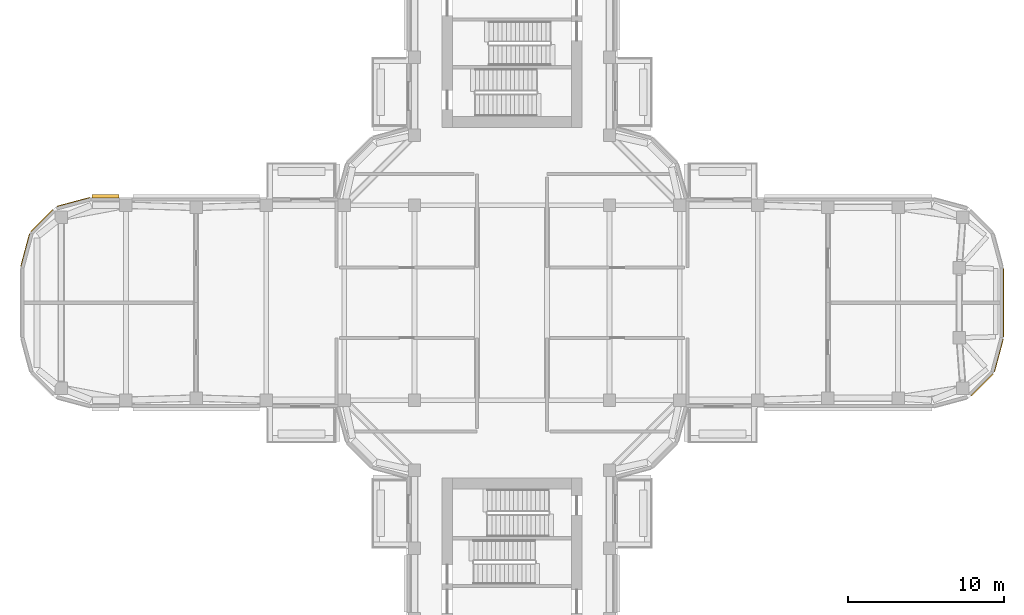
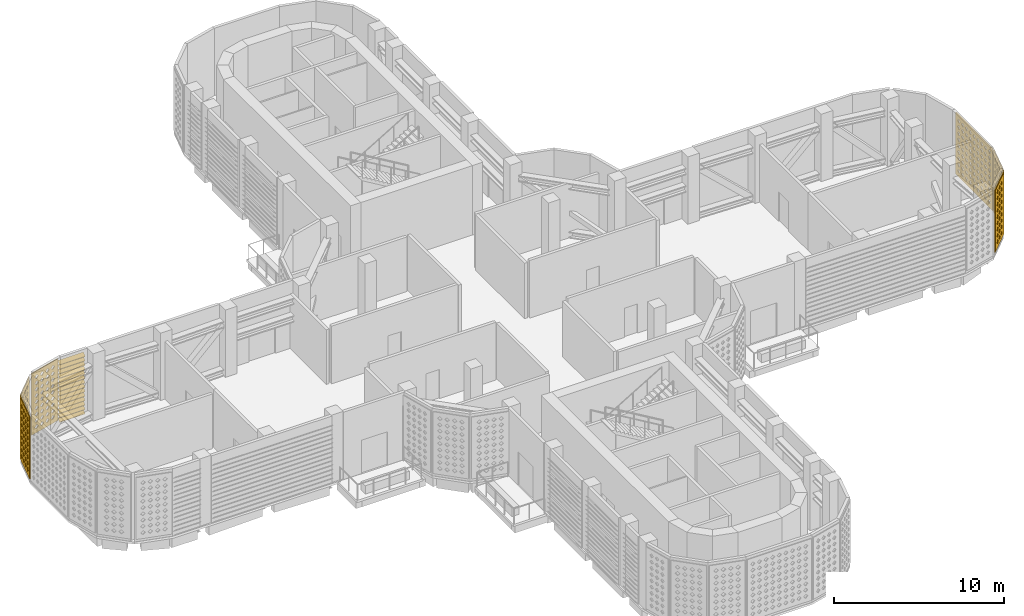
# One storey, part 15 of 21: 6 coverings, 1 shading device.
"""IFC4 building model written with IfcOpenShell, lengths in metres."""

from ifc_helpers import new_model, si_unit, direction, frame, origin, place, context, subcontext, project, spatial, polyline, outline, extrude, source, transform, mapped, material, layer, layer_set, type_object, element, save


model = new_model("IFC4")

# Units and contexts
model_context = context("Model", 3, precision=1e-05, world=origin(), true_north=direction((0.0, 1.0)))
body_context = subcontext(model_context, "Body", "Model", "MODEL_VIEW")
ifc_project = project(units=[si_unit("LENGTHUNIT", "METRE"), si_unit("AREAUNIT", "SQUARE_METRE"), si_unit("VOLUMEUNIT", "CUBIC_METRE"), si_unit("PLANEANGLEUNIT", "RADIAN"), si_unit("MASSUNIT", "GRAM", prefix="KILO")], contexts=[model_context])

# Site, building, storey
site_placement = place(None, origin())
site = spatial("IfcSite", under=ifc_project, at=site_placement, CompositionType="ELEMENT")
building_placement = place(site_placement, origin())
building = spatial("IfcBuilding", under=site, at=building_placement, Name="Zarbagh Exchange Tower", CompositionType="ELEMENT")
storey_placement = place(building_placement, frame((0.0, 0.0, 190.39990234375)))
storey = spatial("IfcBuildingStorey", under=building, at=storey_placement, Name="L46", CompositionType="ELEMENT", Elevation=190.39990234375)

# Coverings
ifc_material_1 = material(Name="Glass-fibre reinforced concrete GFRC C50/60", Category="concrete")
ifc_layer = layer(ifc_material_1, 0.06005859375)
ifc_layer_set = layer_set([ifc_layer], Name="SCREEN jali panel, GFRC")
covering_type = type_object("IfcCoveringType", Name="SCREEN jali panel, GFRC", PredefinedType="CLADDING", material=ifc_layer_set)
shared_shape_1 = source(origin(), body_context, "Body", "SweptSolid", [
    extrude(outline(polyline([(0.0, 0.0), (2.181396484375, 0.0), (2.181396484375, 4.449951171875), (0.0, 4.449951171875), (0.0, 0.0)]), holes=[polyline([(0.265625, 0.425048828125), (0.415771484375, 0.27490234375), (0.565673828125, 0.425048828125), (0.415771484375, 0.574951171875), (0.265625, 0.425048828125)]), polyline([(0.265625, 0.875), (0.415771484375, 0.72509765625), (0.565673828125, 0.875), (0.415771484375, 1.02490234375), (0.265625, 0.875)]), polyline([(0.265625, 1.324951171875), (0.415771484375, 1.175048828125), (0.565673828125, 1.324951171875), (0.415771484375, 1.47509765625), (0.265625, 1.324951171875)]), polyline([(0.265625, 1.77490234375), (0.415771484375, 1.625), (0.565673828125, 1.77490234375), (0.415771484375, 1.925048828125), (0.265625, 1.77490234375)]), polyline([(0.265625, 2.22509765625), (0.415771484375, 2.074951171875), (0.565673828125, 2.22509765625), (0.415771484375, 2.375), (0.265625, 2.22509765625)]), polyline([(0.265625, 2.675048828125), (0.415771484375, 2.52490234375), (0.565673828125, 2.675048828125), (0.415771484375, 2.824951171875), (0.265625, 2.675048828125)]), polyline([(0.265625, 3.125), (0.415771484375, 2.97509765625), (0.565673828125, 3.125), (0.415771484375, 3.27490234375), (0.265625, 3.125)]), polyline([(0.265625, 3.574951171875), (0.415771484375, 3.425048828125), (0.565673828125, 3.574951171875), (0.415771484375, 3.72509765625), (0.265625, 3.574951171875)]), polyline([(0.265625, 4.02490234375), (0.415771484375, 3.875), (0.565673828125, 4.02490234375), (0.415771484375, 4.175048828125), (0.265625, 4.02490234375)]), polyline([(0.7158203125, 0.425048828125), (0.86572265625, 0.27490234375), (1.015625, 0.425048828125), (0.86572265625, 0.574951171875), (0.7158203125, 0.425048828125)]), polyline([(0.7158203125, 0.875), (0.86572265625, 0.72509765625), (1.015625, 0.875), (0.86572265625, 1.02490234375), (0.7158203125, 0.875)]), polyline([(0.7158203125, 1.324951171875), (0.86572265625, 1.175048828125), (1.015625, 1.324951171875), (0.86572265625, 1.47509765625), (0.7158203125, 1.324951171875)]), polyline([(0.7158203125, 1.77490234375), (0.86572265625, 1.625), (1.015625, 1.77490234375), (0.86572265625, 1.925048828125), (0.7158203125, 1.77490234375)]), polyline([(0.7158203125, 2.22509765625), (0.86572265625, 2.074951171875), (1.015625, 2.22509765625), (0.86572265625, 2.375), (0.7158203125, 2.22509765625)]), polyline([(0.7158203125, 2.675048828125), (0.86572265625, 2.52490234375), (1.015625, 2.675048828125), (0.86572265625, 2.824951171875), (0.7158203125, 2.675048828125)]), polyline([(0.7158203125, 3.125), (0.86572265625, 2.97509765625), (1.015625, 3.125), (0.86572265625, 3.27490234375), (0.7158203125, 3.125)]), polyline([(0.7158203125, 3.574951171875), (0.86572265625, 3.425048828125), (1.015625, 3.574951171875), (0.86572265625, 3.72509765625), (0.7158203125, 3.574951171875)]), polyline([(0.7158203125, 4.02490234375), (0.86572265625, 3.875), (1.015625, 4.02490234375), (0.86572265625, 4.175048828125), (0.7158203125, 4.02490234375)]), polyline([(1.165771484375, 0.425048828125), (1.315673828125, 0.27490234375), (1.4658203125, 0.425048828125), (1.315673828125, 0.574951171875), (1.165771484375, 0.425048828125)]), polyline([(1.165771484375, 0.875), (1.315673828125, 0.72509765625), (1.4658203125, 0.875), (1.315673828125, 1.02490234375), (1.165771484375, 0.875)]), polyline([(1.165771484375, 1.324951171875), (1.315673828125, 1.175048828125), (1.4658203125, 1.324951171875), (1.315673828125, 1.47509765625), (1.165771484375, 1.324951171875)]), polyline([(1.165771484375, 1.77490234375), (1.315673828125, 1.625), (1.4658203125, 1.77490234375), (1.315673828125, 1.925048828125), (1.165771484375, 1.77490234375)]), polyline([(1.165771484375, 2.22509765625), (1.315673828125, 2.074951171875), (1.4658203125, 2.22509765625), (1.315673828125, 2.375), (1.165771484375, 2.22509765625)]), polyline([(1.165771484375, 2.675048828125), (1.315673828125, 2.52490234375), (1.4658203125, 2.675048828125), (1.315673828125, 2.824951171875), (1.165771484375, 2.675048828125)]), polyline([(1.165771484375, 3.125), (1.315673828125, 2.97509765625), (1.4658203125, 3.125), (1.315673828125, 3.27490234375), (1.165771484375, 3.125)]), polyline([(1.165771484375, 3.574951171875), (1.315673828125, 3.425048828125), (1.4658203125, 3.574951171875), (1.315673828125, 3.72509765625), (1.165771484375, 3.574951171875)]), polyline([(1.165771484375, 4.02490234375), (1.315673828125, 3.875), (1.4658203125, 4.02490234375), (1.315673828125, 4.175048828125), (1.165771484375, 4.02490234375)]), polyline([(1.61572265625, 0.425048828125), (1.765625, 0.27490234375), (1.915771484375, 0.425048828125), (1.765625, 0.574951171875), (1.61572265625, 0.425048828125)]), polyline([(1.61572265625, 0.875), (1.765625, 0.72509765625), (1.915771484375, 0.875), (1.765625, 1.02490234375), (1.61572265625, 0.875)]), polyline([(1.61572265625, 1.324951171875), (1.765625, 1.175048828125), (1.915771484375, 1.324951171875), (1.765625, 1.47509765625), (1.61572265625, 1.324951171875)]), polyline([(1.61572265625, 1.77490234375), (1.765625, 1.625), (1.915771484375, 1.77490234375), (1.765625, 1.925048828125), (1.61572265625, 1.77490234375)]), polyline([(1.61572265625, 2.22509765625), (1.765625, 2.074951171875), (1.915771484375, 2.22509765625), (1.765625, 2.375), (1.61572265625, 2.22509765625)]), polyline([(1.61572265625, 2.675048828125), (1.765625, 2.52490234375), (1.915771484375, 2.675048828125), (1.765625, 2.824951171875), (1.61572265625, 2.675048828125)]), polyline([(1.61572265625, 3.125), (1.765625, 2.97509765625), (1.915771484375, 3.125), (1.765625, 3.27490234375), (1.61572265625, 3.125)]), polyline([(1.61572265625, 3.574951171875), (1.765625, 3.425048828125), (1.915771484375, 3.574951171875), (1.765625, 3.72509765625), (1.61572265625, 3.574951171875)]), polyline([(1.61572265625, 4.02490234375), (1.765625, 3.875), (1.915771484375, 4.02490234375), (1.765625, 4.175048828125), (1.61572265625, 4.02490234375)])]), origin(), (0.0, 0.0, 1.0), 0.06005859375),
])
placement = place(storey_placement, origin())
element("IfcCovering", 1, at=placement, inside=storey, type_object=covering_type, Name="JS43 jali screen", PredefinedType="CLADDING", context=body_context, shape_type="MappedRepresentation", body=[
    mapped(shared_shape_1, transform((30.89892578125, -4.41552734375, 0.2001953125), x_axis=(0.258825057666, 0.965924215207, 0.0), y_axis=(0.0, 0.0, 1.0), z_axis=(0.965924215207, -0.258825057666, 0.0))),
])
element("IfcCovering", 2, at=placement, inside=storey, type_object=covering_type, Name="JS58 jali screen", PredefinedType="CLADDING", context=body_context, shape_type="MappedRepresentation", body=[
    mapped(shared_shape_1, transform((-27.058349609375, 6.713623046875, 0.2001953125), x_axis=(-0.965924215207, -0.258825057666, 0.0), y_axis=(0.0, 0.0, 1.0), z_axis=(-0.258825057666, 0.965924215207, 0.0))),
])
element("IfcCovering", 3, at=placement, inside=storey, type_object=covering_type, Name="JS60 jali screen", PredefinedType="CLADDING", context=body_context, shape_type="MappedRepresentation", body=[
    mapped(shared_shape_1, transform((-30.89892578125, 4.41552734375, 0.2001953125), x_axis=(-0.258825057666, -0.965924215207, 0.0), y_axis=(0.0, 0.0, 1.0), z_axis=(-0.965924215207, 0.258825057666, 0.0))),
])

# Shading device
ifc_material_2 = material(Name="Anodised aluminium", Category="aluminium")
shading_device_type = type_object("IfcShadingDeviceType", Name="LOUVRE plant louvre, fixed blades", PredefinedType="USERDEFINED", material=ifc_material_2)
shared_shape_2 = source(origin(), body_context, "Body", "SweptSolid", [
    extrude(outline(polyline([(0.0, 0.199951171875), (0.199951171875, 0.0), (0.199951171875, -0.02001953125), (0.0, 0.179931640625), (0.0, 0.199951171875)])), origin(), (0.0, 0.0, 1.0), 1.744140625),
])
element("IfcShadingDevice", 4, at=placement, inside=storey, type_object=shading_device_type, Name="LV14 plant louvre", ObjectType="LOUVRE", PredefinedType="USERDEFINED", context=body_context, shape_type="MappedRepresentation", body=[
    mapped(shared_shape_2, transform((-25.18994140625, 6.72998046875, 0.2001953125), x_axis=(0.0, 1.0, 0.0), y_axis=(0.0, 0.0, -1.0), z_axis=(-1.0, 0.0, 0.0))),
    mapped(shared_shape_2, transform((-25.18994140625, 6.72998046875, 0.51806640625), x_axis=(0.0, 1.0, 0.0), y_axis=(0.0, 0.0, -1.0), z_axis=(-1.0, 0.0, 0.0))),
    mapped(shared_shape_2, transform((-25.18994140625, 6.72998046875, 0.835693359375), x_axis=(0.0, 1.0, 0.0), y_axis=(0.0, 0.0, -1.0), z_axis=(-1.0, 0.0, 0.0))),
    mapped(shared_shape_2, transform((-25.18994140625, 6.72998046875, 1.153564453125), x_axis=(0.0, 1.0, 0.0), y_axis=(0.0, 0.0, -1.0), z_axis=(-1.0, 0.0, 0.0))),
    mapped(shared_shape_2, transform((-25.18994140625, 6.72998046875, 1.471435546875), x_axis=(0.0, 1.0, 0.0), y_axis=(0.0, 0.0, -1.0), z_axis=(-1.0, 0.0, 0.0))),
    mapped(shared_shape_2, transform((-25.18994140625, 6.72998046875, 1.789306640625), x_axis=(0.0, 1.0, 0.0), y_axis=(0.0, 0.0, -1.0), z_axis=(-1.0, 0.0, 0.0))),
    mapped(shared_shape_2, transform((-25.18994140625, 6.72998046875, 2.107177734375), x_axis=(0.0, 1.0, 0.0), y_axis=(0.0, 0.0, -1.0), z_axis=(-1.0, 0.0, 0.0))),
    mapped(shared_shape_2, transform((-25.18994140625, 6.72998046875, 2.425048828125), x_axis=(0.0, 1.0, 0.0), y_axis=(0.0, 0.0, -1.0), z_axis=(-1.0, 0.0, 0.0))),
    mapped(shared_shape_2, transform((-25.18994140625, 6.72998046875, 2.742919921875), x_axis=(0.0, 1.0, 0.0), y_axis=(0.0, 0.0, -1.0), z_axis=(-1.0, 0.0, 0.0))),
    mapped(shared_shape_2, transform((-25.18994140625, 6.72998046875, 3.060791015625), x_axis=(0.0, 1.0, 0.0), y_axis=(0.0, 0.0, -1.0), z_axis=(-1.0, 0.0, 0.0))),
    mapped(shared_shape_2, transform((-25.18994140625, 6.72998046875, 3.378662109375), x_axis=(0.0, 1.0, 0.0), y_axis=(0.0, 0.0, -1.0), z_axis=(-1.0, 0.0, 0.0))),
    mapped(shared_shape_2, transform((-25.18994140625, 6.72998046875, 3.696533203125), x_axis=(0.0, 1.0, 0.0), y_axis=(0.0, 0.0, -1.0), z_axis=(-1.0, 0.0, 0.0))),
    mapped(shared_shape_2, transform((-25.18994140625, 6.72998046875, 4.014404296875), x_axis=(0.0, 1.0, 0.0), y_axis=(0.0, 0.0, -1.0), z_axis=(-1.0, 0.0, 0.0))),
    mapped(shared_shape_2, transform((-25.18994140625, 6.72998046875, 4.332275390625), x_axis=(0.0, 1.0, 0.0), y_axis=(0.0, 0.0, -1.0), z_axis=(-1.0, 0.0, 0.0))),
])

# Coverings
shared_shape_3 = source(origin(), body_context, "Body", "SweptSolid", [
    extrude(outline(polyline([(0.0, 0.0), (4.368408203125, 0.0), (4.368408203125, 4.449951171875), (0.0, 4.449951171875), (0.0, 0.0)]), holes=[polyline([(0.234130859375, 0.425048828125), (0.38427734375, 0.27490234375), (0.5341796875, 0.425048828125), (0.38427734375, 0.574951171875), (0.234130859375, 0.425048828125)]), polyline([(0.234130859375, 0.875), (0.38427734375, 0.72509765625), (0.5341796875, 0.875), (0.38427734375, 1.02490234375), (0.234130859375, 0.875)]), polyline([(0.234130859375, 1.324951171875), (0.38427734375, 1.175048828125), (0.5341796875, 1.324951171875), (0.38427734375, 1.47509765625), (0.234130859375, 1.324951171875)]), polyline([(0.234130859375, 1.77490234375), (0.38427734375, 1.625), (0.5341796875, 1.77490234375), (0.38427734375, 1.925048828125), (0.234130859375, 1.77490234375)]), polyline([(0.234130859375, 2.22509765625), (0.38427734375, 2.074951171875), (0.5341796875, 2.22509765625), (0.38427734375, 2.375), (0.234130859375, 2.22509765625)]), polyline([(0.234130859375, 2.675048828125), (0.38427734375, 2.52490234375), (0.5341796875, 2.675048828125), (0.38427734375, 2.824951171875), (0.234130859375, 2.675048828125)]), polyline([(0.234130859375, 3.125), (0.38427734375, 2.97509765625), (0.5341796875, 3.125), (0.38427734375, 3.27490234375), (0.234130859375, 3.125)]), polyline([(0.234130859375, 3.574951171875), (0.38427734375, 3.425048828125), (0.5341796875, 3.574951171875), (0.38427734375, 3.72509765625), (0.234130859375, 3.574951171875)]), polyline([(0.234130859375, 4.02490234375), (0.38427734375, 3.875), (0.5341796875, 4.02490234375), (0.38427734375, 4.175048828125), (0.234130859375, 4.02490234375)]), polyline([(0.68408203125, 0.425048828125), (0.834228515625, 0.27490234375), (0.984130859375, 0.425048828125), (0.834228515625, 0.574951171875), (0.68408203125, 0.425048828125)]), polyline([(0.68408203125, 0.875), (0.834228515625, 0.72509765625), (0.984130859375, 0.875), (0.834228515625, 1.02490234375), (0.68408203125, 0.875)]), polyline([(0.68408203125, 1.324951171875), (0.834228515625, 1.175048828125), (0.984130859375, 1.324951171875), (0.834228515625, 1.47509765625), (0.68408203125, 1.324951171875)]), polyline([(0.68408203125, 1.77490234375), (0.834228515625, 1.625), (0.984130859375, 1.77490234375), (0.834228515625, 1.925048828125), (0.68408203125, 1.77490234375)]), polyline([(0.68408203125, 2.22509765625), (0.834228515625, 2.074951171875), (0.984130859375, 2.22509765625), (0.834228515625, 2.375), (0.68408203125, 2.22509765625)]), polyline([(0.68408203125, 2.675048828125), (0.834228515625, 2.52490234375), (0.984130859375, 2.675048828125), (0.834228515625, 2.824951171875), (0.68408203125, 2.675048828125)]), polyline([(0.68408203125, 3.125), (0.834228515625, 2.97509765625), (0.984130859375, 3.125), (0.834228515625, 3.27490234375), (0.68408203125, 3.125)]), polyline([(0.68408203125, 3.574951171875), (0.834228515625, 3.425048828125), (0.984130859375, 3.574951171875), (0.834228515625, 3.72509765625), (0.68408203125, 3.574951171875)]), polyline([(0.68408203125, 4.02490234375), (0.834228515625, 3.875), (0.984130859375, 4.02490234375), (0.834228515625, 4.175048828125), (0.68408203125, 4.02490234375)]), polyline([(1.13427734375, 0.425048828125), (1.2841796875, 0.27490234375), (1.43408203125, 0.425048828125), (1.2841796875, 0.574951171875), (1.13427734375, 0.425048828125)]), polyline([(1.13427734375, 0.875), (1.2841796875, 0.72509765625), (1.43408203125, 0.875), (1.2841796875, 1.02490234375), (1.13427734375, 0.875)]), polyline([(1.13427734375, 1.324951171875), (1.2841796875, 1.175048828125), (1.43408203125, 1.324951171875), (1.2841796875, 1.47509765625), (1.13427734375, 1.324951171875)]), polyline([(1.13427734375, 1.77490234375), (1.2841796875, 1.625), (1.43408203125, 1.77490234375), (1.2841796875, 1.925048828125), (1.13427734375, 1.77490234375)]), polyline([(1.13427734375, 2.22509765625), (1.2841796875, 2.074951171875), (1.43408203125, 2.22509765625), (1.2841796875, 2.375), (1.13427734375, 2.22509765625)]), polyline([(1.13427734375, 2.675048828125), (1.2841796875, 2.52490234375), (1.43408203125, 2.675048828125), (1.2841796875, 2.824951171875), (1.13427734375, 2.675048828125)]), polyline([(1.13427734375, 3.125), (1.2841796875, 2.97509765625), (1.43408203125, 3.125), (1.2841796875, 3.27490234375), (1.13427734375, 3.125)]), polyline([(1.13427734375, 3.574951171875), (1.2841796875, 3.425048828125), (1.43408203125, 3.574951171875), (1.2841796875, 3.72509765625), (1.13427734375, 3.574951171875)]), polyline([(1.13427734375, 4.02490234375), (1.2841796875, 3.875), (1.43408203125, 4.02490234375), (1.2841796875, 4.175048828125), (1.13427734375, 4.02490234375)]), polyline([(1.584228515625, 0.425048828125), (1.734130859375, 0.27490234375), (1.88427734375, 0.425048828125), (1.734130859375, 0.574951171875), (1.584228515625, 0.425048828125)]), polyline([(1.584228515625, 0.875), (1.734130859375, 0.72509765625), (1.88427734375, 0.875), (1.734130859375, 1.02490234375), (1.584228515625, 0.875)]), polyline([(1.584228515625, 1.324951171875), (1.734130859375, 1.175048828125), (1.88427734375, 1.324951171875), (1.734130859375, 1.47509765625), (1.584228515625, 1.324951171875)]), polyline([(1.584228515625, 1.77490234375), (1.734130859375, 1.625), (1.88427734375, 1.77490234375), (1.734130859375, 1.925048828125), (1.584228515625, 1.77490234375)]), polyline([(1.584228515625, 2.22509765625), (1.734130859375, 2.074951171875), (1.88427734375, 2.22509765625), (1.734130859375, 2.375), (1.584228515625, 2.22509765625)]), polyline([(1.584228515625, 2.675048828125), (1.734130859375, 2.52490234375), (1.88427734375, 2.675048828125), (1.734130859375, 2.824951171875), (1.584228515625, 2.675048828125)]), polyline([(1.584228515625, 3.125), (1.734130859375, 2.97509765625), (1.88427734375, 3.125), (1.734130859375, 3.27490234375), (1.584228515625, 3.125)]), polyline([(1.584228515625, 3.574951171875), (1.734130859375, 3.425048828125), (1.88427734375, 3.574951171875), (1.734130859375, 3.72509765625), (1.584228515625, 3.574951171875)]), polyline([(1.584228515625, 4.02490234375), (1.734130859375, 3.875), (1.88427734375, 4.02490234375), (1.734130859375, 4.175048828125), (1.584228515625, 4.02490234375)]), polyline([(2.0341796875, 0.425048828125), (2.18408203125, 0.27490234375), (2.334228515625, 0.425048828125), (2.18408203125, 0.574951171875), (2.0341796875, 0.425048828125)]), polyline([(2.0341796875, 0.875), (2.18408203125, 0.72509765625), (2.334228515625, 0.875), (2.18408203125, 1.02490234375), (2.0341796875, 0.875)]), polyline([(2.0341796875, 1.324951171875), (2.18408203125, 1.175048828125), (2.334228515625, 1.324951171875), (2.18408203125, 1.47509765625), (2.0341796875, 1.324951171875)]), polyline([(2.0341796875, 1.77490234375), (2.18408203125, 1.625), (2.334228515625, 1.77490234375), (2.18408203125, 1.925048828125), (2.0341796875, 1.77490234375)]), polyline([(2.0341796875, 2.22509765625), (2.18408203125, 2.074951171875), (2.334228515625, 2.22509765625), (2.18408203125, 2.375), (2.0341796875, 2.22509765625)]), polyline([(2.0341796875, 2.675048828125), (2.18408203125, 2.52490234375), (2.334228515625, 2.675048828125), (2.18408203125, 2.824951171875), (2.0341796875, 2.675048828125)]), polyline([(2.0341796875, 3.125), (2.18408203125, 2.97509765625), (2.334228515625, 3.125), (2.18408203125, 3.27490234375), (2.0341796875, 3.125)]), polyline([(2.0341796875, 3.574951171875), (2.18408203125, 3.425048828125), (2.334228515625, 3.574951171875), (2.18408203125, 3.72509765625), (2.0341796875, 3.574951171875)]), polyline([(2.0341796875, 4.02490234375), (2.18408203125, 3.875), (2.334228515625, 4.02490234375), (2.18408203125, 4.175048828125), (2.0341796875, 4.02490234375)]), polyline([(2.484130859375, 0.425048828125), (2.63427734375, 0.27490234375), (2.7841796875, 0.425048828125), (2.63427734375, 0.574951171875), (2.484130859375, 0.425048828125)]), polyline([(2.484130859375, 0.875), (2.63427734375, 0.72509765625), (2.7841796875, 0.875), (2.63427734375, 1.02490234375), (2.484130859375, 0.875)]), polyline([(2.484130859375, 1.324951171875), (2.63427734375, 1.175048828125), (2.7841796875, 1.324951171875), (2.63427734375, 1.47509765625), (2.484130859375, 1.324951171875)]), polyline([(2.484130859375, 1.77490234375), (2.63427734375, 1.625), (2.7841796875, 1.77490234375), (2.63427734375, 1.925048828125), (2.484130859375, 1.77490234375)]), polyline([(2.484130859375, 2.22509765625), (2.63427734375, 2.074951171875), (2.7841796875, 2.22509765625), (2.63427734375, 2.375), (2.484130859375, 2.22509765625)]), polyline([(2.484130859375, 2.675048828125), (2.63427734375, 2.52490234375), (2.7841796875, 2.675048828125), (2.63427734375, 2.824951171875), (2.484130859375, 2.675048828125)]), polyline([(2.484130859375, 3.125), (2.63427734375, 2.97509765625), (2.7841796875, 3.125), (2.63427734375, 3.27490234375), (2.484130859375, 3.125)]), polyline([(2.484130859375, 3.574951171875), (2.63427734375, 3.425048828125), (2.7841796875, 3.574951171875), (2.63427734375, 3.72509765625), (2.484130859375, 3.574951171875)]), polyline([(2.484130859375, 4.02490234375), (2.63427734375, 3.875), (2.7841796875, 4.02490234375), (2.63427734375, 4.175048828125), (2.484130859375, 4.02490234375)]), polyline([(2.93408203125, 0.425048828125), (3.084228515625, 0.27490234375), (3.234130859375, 0.425048828125), (3.084228515625, 0.574951171875), (2.93408203125, 0.425048828125)]), polyline([(2.93408203125, 0.875), (3.084228515625, 0.72509765625), (3.234130859375, 0.875), (3.084228515625, 1.02490234375), (2.93408203125, 0.875)]), polyline([(2.93408203125, 1.324951171875), (3.084228515625, 1.175048828125), (3.234130859375, 1.324951171875), (3.084228515625, 1.47509765625), (2.93408203125, 1.324951171875)]), polyline([(2.93408203125, 1.77490234375), (3.084228515625, 1.625), (3.234130859375, 1.77490234375), (3.084228515625, 1.925048828125), (2.93408203125, 1.77490234375)]), polyline([(2.93408203125, 2.22509765625), (3.084228515625, 2.074951171875), (3.234130859375, 2.22509765625), (3.084228515625, 2.375), (2.93408203125, 2.22509765625)]), polyline([(2.93408203125, 2.675048828125), (3.084228515625, 2.52490234375), (3.234130859375, 2.675048828125), (3.084228515625, 2.824951171875), (2.93408203125, 2.675048828125)]), polyline([(2.93408203125, 3.125), (3.084228515625, 2.97509765625), (3.234130859375, 3.125), (3.084228515625, 3.27490234375), (2.93408203125, 3.125)]), polyline([(2.93408203125, 3.574951171875), (3.084228515625, 3.425048828125), (3.234130859375, 3.574951171875), (3.084228515625, 3.72509765625), (2.93408203125, 3.574951171875)]), polyline([(2.93408203125, 4.02490234375), (3.084228515625, 3.875), (3.234130859375, 4.02490234375), (3.084228515625, 4.175048828125), (2.93408203125, 4.02490234375)]), polyline([(3.38427734375, 0.425048828125), (3.5341796875, 0.27490234375), (3.68408203125, 0.425048828125), (3.5341796875, 0.574951171875), (3.38427734375, 0.425048828125)]), polyline([(3.38427734375, 0.875), (3.5341796875, 0.72509765625), (3.68408203125, 0.875), (3.5341796875, 1.02490234375), (3.38427734375, 0.875)]), polyline([(3.38427734375, 1.324951171875), (3.5341796875, 1.175048828125), (3.68408203125, 1.324951171875), (3.5341796875, 1.47509765625), (3.38427734375, 1.324951171875)]), polyline([(3.38427734375, 1.77490234375), (3.5341796875, 1.625), (3.68408203125, 1.77490234375), (3.5341796875, 1.925048828125), (3.38427734375, 1.77490234375)]), polyline([(3.38427734375, 2.22509765625), (3.5341796875, 2.074951171875), (3.68408203125, 2.22509765625), (3.5341796875, 2.375), (3.38427734375, 2.22509765625)]), polyline([(3.38427734375, 2.675048828125), (3.5341796875, 2.52490234375), (3.68408203125, 2.675048828125), (3.5341796875, 2.824951171875), (3.38427734375, 2.675048828125)]), polyline([(3.38427734375, 3.125), (3.5341796875, 2.97509765625), (3.68408203125, 3.125), (3.5341796875, 3.27490234375), (3.38427734375, 3.125)]), polyline([(3.38427734375, 3.574951171875), (3.5341796875, 3.425048828125), (3.68408203125, 3.574951171875), (3.5341796875, 3.72509765625), (3.38427734375, 3.574951171875)]), polyline([(3.38427734375, 4.02490234375), (3.5341796875, 3.875), (3.68408203125, 4.02490234375), (3.5341796875, 4.175048828125), (3.38427734375, 4.02490234375)]), polyline([(3.834228515625, 0.425048828125), (3.984130859375, 0.27490234375), (4.13427734375, 0.425048828125), (3.984130859375, 0.574951171875), (3.834228515625, 0.425048828125)]), polyline([(3.834228515625, 0.875), (3.984130859375, 0.72509765625), (4.13427734375, 0.875), (3.984130859375, 1.02490234375), (3.834228515625, 0.875)]), polyline([(3.834228515625, 1.324951171875), (3.984130859375, 1.175048828125), (4.13427734375, 1.324951171875), (3.984130859375, 1.47509765625), (3.834228515625, 1.324951171875)]), polyline([(3.834228515625, 1.77490234375), (3.984130859375, 1.625), (4.13427734375, 1.77490234375), (3.984130859375, 1.925048828125), (3.834228515625, 1.77490234375)]), polyline([(3.834228515625, 2.22509765625), (3.984130859375, 2.074951171875), (4.13427734375, 2.22509765625), (3.984130859375, 2.375), (3.834228515625, 2.22509765625)]), polyline([(3.834228515625, 2.675048828125), (3.984130859375, 2.52490234375), (4.13427734375, 2.675048828125), (3.984130859375, 2.824951171875), (3.834228515625, 2.675048828125)]), polyline([(3.834228515625, 3.125), (3.984130859375, 2.97509765625), (4.13427734375, 3.125), (3.984130859375, 3.27490234375), (3.834228515625, 3.125)]), polyline([(3.834228515625, 3.574951171875), (3.984130859375, 3.425048828125), (4.13427734375, 3.574951171875), (3.984130859375, 3.72509765625), (3.834228515625, 3.574951171875)]), polyline([(3.834228515625, 4.02490234375), (3.984130859375, 3.875), (4.13427734375, 4.02490234375), (3.984130859375, 4.175048828125), (3.834228515625, 4.02490234375)])]), origin(), (0.0, 0.0, 1.0), 0.06005859375),
])
element("IfcCovering", 5, at=placement, inside=storey, type_object=covering_type, Name="JS44 jali screen", PredefinedType="CLADDING", context=body_context, shape_type="MappedRepresentation", body=[
    mapped(shared_shape_3, transform((31.47998046875, -2.18408203125, 0.2001953125), x_axis=(0.0, 1.0, 0.0), y_axis=(0.0, 0.0, 1.0), z_axis=(1.0, 0.0, 0.0))),
])
shared_shape_4 = source(origin(), body_context, "Body", "SweptSolid", [
    extrude(outline(polyline([(0.0, 0.0), (1.988525390625, 0.0), (1.988525390625, 4.449951171875), (0.0, 4.449951171875), (0.0, 0.0)]), holes=[polyline([(0.394287109375, 0.425048828125), (0.544189453125, 0.27490234375), (0.6943359375, 0.425048828125), (0.544189453125, 0.574951171875), (0.394287109375, 0.425048828125)]), polyline([(0.394287109375, 0.875), (0.544189453125, 0.72509765625), (0.6943359375, 0.875), (0.544189453125, 1.02490234375), (0.394287109375, 0.875)]), polyline([(0.394287109375, 1.324951171875), (0.544189453125, 1.175048828125), (0.6943359375, 1.324951171875), (0.544189453125, 1.47509765625), (0.394287109375, 1.324951171875)]), polyline([(0.394287109375, 1.77490234375), (0.544189453125, 1.625), (0.6943359375, 1.77490234375), (0.544189453125, 1.925048828125), (0.394287109375, 1.77490234375)]), polyline([(0.394287109375, 2.22509765625), (0.544189453125, 2.074951171875), (0.6943359375, 2.22509765625), (0.544189453125, 2.375), (0.394287109375, 2.22509765625)]), polyline([(0.394287109375, 2.675048828125), (0.544189453125, 2.52490234375), (0.6943359375, 2.675048828125), (0.544189453125, 2.824951171875), (0.394287109375, 2.675048828125)]), polyline([(0.394287109375, 3.125), (0.544189453125, 2.97509765625), (0.6943359375, 3.125), (0.544189453125, 3.27490234375), (0.394287109375, 3.125)]), polyline([(0.394287109375, 3.574951171875), (0.544189453125, 3.425048828125), (0.6943359375, 3.574951171875), (0.544189453125, 3.72509765625), (0.394287109375, 3.574951171875)]), polyline([(0.394287109375, 4.02490234375), (0.544189453125, 3.875), (0.6943359375, 4.02490234375), (0.544189453125, 4.175048828125), (0.394287109375, 4.02490234375)]), polyline([(0.84423828125, 0.425048828125), (0.994384765625, 0.27490234375), (1.144287109375, 0.425048828125), (0.994384765625, 0.574951171875), (0.84423828125, 0.425048828125)]), polyline([(0.84423828125, 0.875), (0.994384765625, 0.72509765625), (1.144287109375, 0.875), (0.994384765625, 1.02490234375), (0.84423828125, 0.875)]), polyline([(0.84423828125, 1.324951171875), (0.994384765625, 1.175048828125), (1.144287109375, 1.324951171875), (0.994384765625, 1.47509765625), (0.84423828125, 1.324951171875)]), polyline([(0.84423828125, 1.77490234375), (0.994384765625, 1.625), (1.144287109375, 1.77490234375), (0.994384765625, 1.925048828125), (0.84423828125, 1.77490234375)]), polyline([(0.84423828125, 2.22509765625), (0.994384765625, 2.074951171875), (1.144287109375, 2.22509765625), (0.994384765625, 2.375), (0.84423828125, 2.22509765625)]), polyline([(0.84423828125, 2.675048828125), (0.994384765625, 2.52490234375), (1.144287109375, 2.675048828125), (0.994384765625, 2.824951171875), (0.84423828125, 2.675048828125)]), polyline([(0.84423828125, 3.125), (0.994384765625, 2.97509765625), (1.144287109375, 3.125), (0.994384765625, 3.27490234375), (0.84423828125, 3.125)]), polyline([(0.84423828125, 3.574951171875), (0.994384765625, 3.425048828125), (1.144287109375, 3.574951171875), (0.994384765625, 3.72509765625), (0.84423828125, 3.574951171875)]), polyline([(0.84423828125, 4.02490234375), (0.994384765625, 3.875), (1.144287109375, 4.02490234375), (0.994384765625, 4.175048828125), (0.84423828125, 4.02490234375)]), polyline([(1.294189453125, 0.425048828125), (1.4443359375, 0.27490234375), (1.59423828125, 0.425048828125), (1.4443359375, 0.574951171875), (1.294189453125, 0.425048828125)]), polyline([(1.294189453125, 0.875), (1.4443359375, 0.72509765625), (1.59423828125, 0.875), (1.4443359375, 1.02490234375), (1.294189453125, 0.875)]), polyline([(1.294189453125, 1.324951171875), (1.4443359375, 1.175048828125), (1.59423828125, 1.324951171875), (1.4443359375, 1.47509765625), (1.294189453125, 1.324951171875)]), polyline([(1.294189453125, 1.77490234375), (1.4443359375, 1.625), (1.59423828125, 1.77490234375), (1.4443359375, 1.925048828125), (1.294189453125, 1.77490234375)]), polyline([(1.294189453125, 2.22509765625), (1.4443359375, 2.074951171875), (1.59423828125, 2.22509765625), (1.4443359375, 2.375), (1.294189453125, 2.22509765625)]), polyline([(1.294189453125, 2.675048828125), (1.4443359375, 2.52490234375), (1.59423828125, 2.675048828125), (1.4443359375, 2.824951171875), (1.294189453125, 2.675048828125)]), polyline([(1.294189453125, 3.125), (1.4443359375, 2.97509765625), (1.59423828125, 3.125), (1.4443359375, 3.27490234375), (1.294189453125, 3.125)]), polyline([(1.294189453125, 3.574951171875), (1.4443359375, 3.425048828125), (1.59423828125, 3.574951171875), (1.4443359375, 3.72509765625), (1.294189453125, 3.574951171875)]), polyline([(1.294189453125, 4.02490234375), (1.4443359375, 3.875), (1.59423828125, 4.02490234375), (1.4443359375, 4.175048828125), (1.294189453125, 4.02490234375)])]), origin(), (0.0, 0.0, 1.0), 0.06005859375),
])
element("IfcCovering", 6, at=placement, inside=storey, type_object=covering_type, Name="JS42 jali screen", PredefinedType="CLADDING", context=body_context, shape_type="MappedRepresentation", body=[
    mapped(shared_shape_4, transform((29.418701171875, -5.9501953125, 0.2001953125), x_axis=(0.707106781187, 0.707106781187, 0.0), y_axis=(0.0, 0.0, 1.0), z_axis=(0.707106781187, -0.707106781187, 0.0))),
])
element("IfcCovering", 7, at=placement, inside=storey, type_object=covering_type, Name="JS59 jali screen", PredefinedType="CLADDING", context=body_context, shape_type="MappedRepresentation", body=[
    mapped(shared_shape_4, transform((-29.418701171875, 5.9501953125, 0.2001953125), x_axis=(-0.707106781187, -0.707106781187, 0.0), y_axis=(0.0, 0.0, 1.0), z_axis=(-0.707106781187, 0.707106781187, 0.0))),
])

save(model, "model.ifc")
